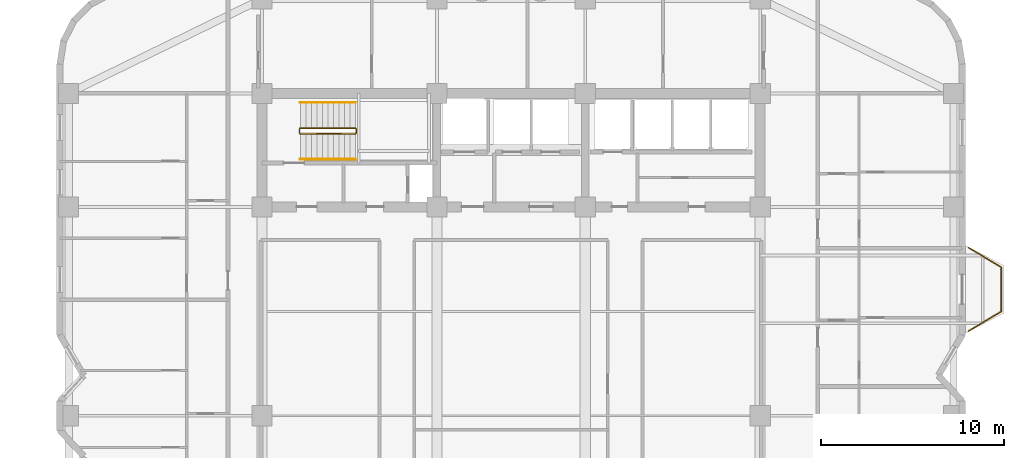
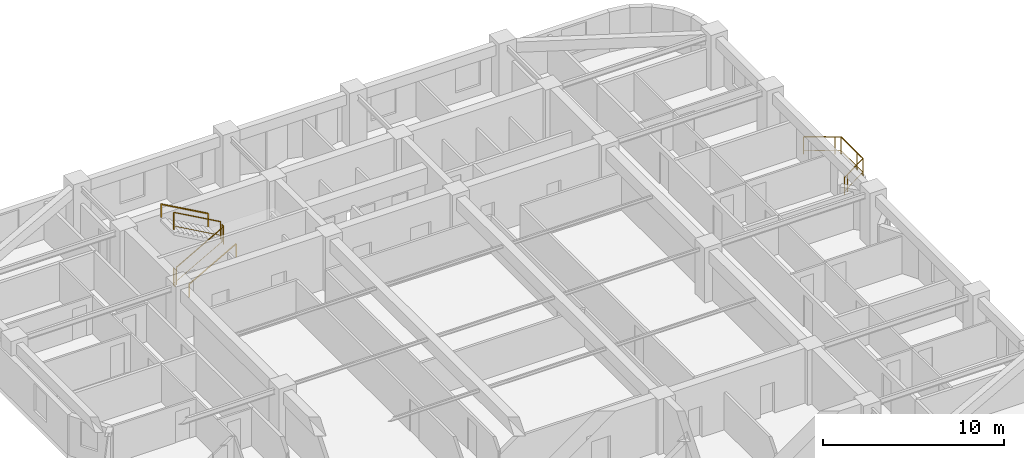
# One storey, part 10 of 10: 7 railings.
"""IFC4 building model written with IfcOpenShell, lengths in metres."""

from ifc_helpers import new_model, si_unit, direction, frame, origin, origin_2d, place, context, subcontext, project, spatial, rectangle, extrude, material, type_object, element, save


model = new_model("IFC4")

# Units and contexts
model_context = context("Model", 3, precision=1e-05, world=origin(), true_north=direction((0.0, 1.0)))
body_context = subcontext(model_context, "Body", "Model", "MODEL_VIEW")
ifc_project = project(units=[si_unit("LENGTHUNIT", "METRE"), si_unit("AREAUNIT", "SQUARE_METRE"), si_unit("VOLUMEUNIT", "CUBIC_METRE"), si_unit("PLANEANGLEUNIT", "RADIAN"), si_unit("MASSUNIT", "GRAM", prefix="KILO")], contexts=[model_context])

# Site, building, storey
site_placement = place(None, origin())
site = spatial("IfcSite", under=ifc_project, at=site_placement, CompositionType="ELEMENT")
building_placement = place(site_placement, origin())
building = spatial("IfcBuilding", under=site, at=building_placement, Name="Svetorya Sky Lyceum", CompositionType="ELEMENT")
storey_placement = place(building_placement, frame((0.0, 0.0, 114.199951171875)))
storey = spatial("IfcBuildingStorey", under=building, at=storey_placement, Name="L28", CompositionType="ELEMENT", Elevation=114.199951171875)

# Railings
ifc_material_1 = material(Name="Laminated safety glass and stainless AISI 316", Category="glass")
railing_type_1 = type_object("IfcRailingType", Name="RL-BAL-1200", PredefinedType="BALUSTRADE", material=ifc_material_1)
railing_1_placement = place(storey_placement, frame((64.169921875, 37.3798828125, 0.0)))
element("IfcRailing", 1, at=railing_1_placement, inside=storey, type_object=railing_type_1, Name="L28 Balcony Balustrade BAL-E1", PredefinedType="BALUSTRADE", context=body_context, shape_type="SweptSolid", body=[
    extrude(rectangle(XDim=0.048095703125, YDim=0.048095703125, at=origin_2d()), frame((0.0, 0.0, 1.17578125), z_axis=(0.85753397263, -0.514427337711, 0.0), x_axis=(0.514427337711, 0.85753397263, 0.0)), (0.0, 0.0, 1.0), 2.09912109375),
    extrude(rectangle(XDim=0.02392578125, YDim=0.02392578125, at=origin_2d()), frame((0.0, 0.0, 0.25), z_axis=(0.85753397263, -0.514427337711, 0.0), x_axis=(0.514427337711, 0.85753397263, 0.0)), (0.0, 0.0, 1.0), 2.09912109375),
    extrude(rectangle(XDim=0.048095703125, YDim=0.048095703125, at=origin_2d()), frame((1.800048828125, -1.079833984375, 1.17578125), z_axis=(0.0, -1.0, 0.0), x_axis=(1.0, 0.0, 0.0)), (0.0, 0.0, 1.0), 2.400146484375),
    extrude(rectangle(XDim=0.02392578125, YDim=0.02392578125, at=origin_2d()), frame((1.800048828125, -1.079833984375, 0.25), z_axis=(0.0, -1.0, 0.0), x_axis=(1.0, 0.0, 0.0)), (0.0, 0.0, 1.0), 2.400146484375),
    extrude(rectangle(XDim=0.048095703125, YDim=0.048095703125, at=origin_2d()), frame((1.800048828125, -3.47998046875, 1.17578125), z_axis=(-0.85753397263, -0.514427337711, 0.0), x_axis=(0.514427337711, -0.85753397263, 0.0)), (0.0, 0.0, 1.0), 2.09912109375),
    extrude(rectangle(XDim=0.02392578125, YDim=0.02392578125, at=origin_2d()), frame((1.800048828125, -3.47998046875, 0.25), z_axis=(-0.85753397263, -0.514427337711, 0.0), x_axis=(0.514427337711, -0.85753397263, 0.0)), (0.0, 0.0, 1.0), 2.09912109375),
    extrude(rectangle(XDim=0.0419921875, YDim=0.0419921875, at=origin_2d()), origin(), (0.0, 0.0, 1.0), 1.15185546875),
    extrude(rectangle(XDim=0.0419921875, YDim=0.0419921875, at=origin_2d()), frame((1.500732421875, -0.900146484375, 0.0)), (0.0, 0.0, 1.0), 1.15185546875),
    extrude(rectangle(XDim=0.0419921875, YDim=0.0419921875, at=origin_2d()), frame((1.800048828125, -1.079833984375, 0.0)), (0.0, 0.0, 1.0), 1.15185546875),
    extrude(rectangle(XDim=0.0419921875, YDim=0.0419921875, at=origin_2d()), frame((1.800048828125, -2.829833984375, 0.0)), (0.0, 0.0, 1.0), 1.15185546875),
    extrude(rectangle(XDim=0.0419921875, YDim=0.0419921875, at=origin_2d()), frame((1.800048828125, -3.47998046875, 0.0)), (0.0, 0.0, 1.0), 1.15185546875),
    extrude(rectangle(XDim=0.0419921875, YDim=0.0419921875, at=origin_2d()), frame((0.29931640625, -4.380126953125, 0.0)), (0.0, 0.0, 1.0), 1.15185546875),
    extrude(rectangle(XDim=0.0419921875, YDim=0.0419921875, at=origin_2d()), frame((0.0, -4.559814453125, 0.0)), (0.0, 0.0, 1.0), 1.15185546875),
])
ifc_material_2 = material(Name="Painted galvanized stair well guard")
railing_type_2 = type_object("IfcRailingType", Name="RL-STR-GUARD-1200", PredefinedType="GUARDRAIL", material=ifc_material_2)
railing_2_placement = place(storey_placement, frame((27.699951171875, 43.60009765625, 0.168212890625)))
element("IfcRailing", 2, at=railing_2_placement, inside=storey, type_object=railing_type_2, Name="L28 ST-N stair guard 1", PredefinedType="GUARDRAIL", context=body_context, shape_type="SweptSolid", body=[
    extrude(rectangle(XDim=0.048095703125, YDim=0.048095703125, at=origin_2d()), frame((0.0, 0.0, 1.17578125), z_axis=(0.872272294576, 0.0, 0.489020494575), x_axis=(0.0, 1.0, 0.0)), (0.0, 0.0, 1.0), 3.439208984375),
    extrude(rectangle(XDim=0.02392578125, YDim=0.02392578125, at=origin_2d()), frame((0.0, 0.0, 0.25), z_axis=(0.872272294576, 0.0, 0.489020494575), x_axis=(0.0, 1.0, 0.0)), (0.0, 0.0, 1.0), 3.439208984375),
    extrude(rectangle(XDim=0.0419921875, YDim=0.0419921875, at=origin_2d()), origin(), (0.0, 0.0, 1.0), 1.15185546875),
    extrude(rectangle(XDim=0.0419921875, YDim=0.0419921875, at=origin_2d()), frame((3.0, 0.0, 1.681884765625)), (0.0, 0.0, 1.0), 1.15185546875),
])
railing_3_placement = place(storey_placement, frame((30.75, 43.64990234375, 1.85009765625)))
element("IfcRailing", 3, at=railing_3_placement, inside=storey, type_object=railing_type_2, Name="L28 ST-N stair guard 2", PredefinedType="GUARDRAIL", context=body_context, shape_type="SweptSolid", body=[
    extrude(rectangle(XDim=0.048095703125, YDim=0.048095703125, at=origin_2d()), frame((0.0, 0.0, 1.17578125), z_axis=(0.0, 1.0, 0.0), x_axis=(-1.0, 0.0, 0.0)), (0.0, 0.0, 1.0), 0.2001953125),
    extrude(rectangle(XDim=0.02392578125, YDim=0.02392578125, at=origin_2d()), frame((0.0, 0.0, 0.25), z_axis=(0.0, 1.0, 0.0), x_axis=(-1.0, 0.0, 0.0)), (0.0, 0.0, 1.0), 0.2001953125),
    extrude(rectangle(XDim=0.0419921875, YDim=0.0419921875, at=origin_2d()), origin(), (0.0, 0.0, 1.0), 1.15185546875),
    extrude(rectangle(XDim=0.0419921875, YDim=0.0419921875, at=origin_2d()), frame((0.0, 0.2001953125, 0.0)), (0.0, 0.0, 1.0), 1.15185546875),
])
railing_4_placement = place(storey_placement, frame((30.699951171875, 43.89990234375, 2.018310546875)))
element("IfcRailing", 4, at=railing_4_placement, inside=storey, type_object=railing_type_2, Name="L28 ST-N stair guard 3", PredefinedType="GUARDRAIL", context=body_context, shape_type="SweptSolid", body=[
    extrude(rectangle(XDim=0.048095703125, YDim=0.048095703125, at=origin_2d()), frame((0.0, 0.0, 1.17578125), z_axis=(-0.872302573547, 0.0, 0.488966481656), x_axis=(0.0, -1.0, 0.0)), (0.0, 0.0, 1.0), 3.439208984375),
    extrude(rectangle(XDim=0.02392578125, YDim=0.02392578125, at=origin_2d()), frame((0.0, 0.0, 0.25), z_axis=(-0.872302573547, 0.0, 0.488966481656), x_axis=(0.0, -1.0, 0.0)), (0.0, 0.0, 1.0), 3.439208984375),
    extrude(rectangle(XDim=0.0419921875, YDim=0.0419921875, at=origin_2d()), origin(), (0.0, 0.0, 1.0), 1.15185546875),
    extrude(rectangle(XDim=0.0419921875, YDim=0.0419921875, at=origin_2d()), frame((-3.0, 0.0, 1.681640625)), (0.0, 0.0, 1.0), 1.15185546875),
])
railing_5_placement = place(storey_placement, frame((27.64990234375, 43.64990234375, 0.0)))
element("IfcRailing", 5, at=railing_5_placement, inside=storey, type_object=railing_type_2, Name="L28 ST-N stair guard 4", PredefinedType="GUARDRAIL", context=body_context, shape_type="SweptSolid", body=[
    extrude(rectangle(XDim=0.048095703125, YDim=0.048095703125, at=origin_2d()), frame((0.0, 0.0, 1.17578125), z_axis=(0.0, 1.0, 0.0), x_axis=(-1.0, 0.0, 0.0)), (0.0, 0.0, 1.0), 0.2001953125),
    extrude(rectangle(XDim=0.02392578125, YDim=0.02392578125, at=origin_2d()), frame((0.0, 0.0, 0.25), z_axis=(0.0, 1.0, 0.0), x_axis=(-1.0, 0.0, 0.0)), (0.0, 0.0, 1.0), 0.2001953125),
    extrude(rectangle(XDim=0.0419921875, YDim=0.0419921875, at=origin_2d()), origin(), (0.0, 0.0, 1.0), 1.15185546875),
    extrude(rectangle(XDim=0.0419921875, YDim=0.0419921875, at=origin_2d()), frame((0.0, 0.2001953125, 0.0)), (0.0, 0.0, 1.0), 1.15185546875),
])
ifc_material_3 = material(Name="Brushed stainless AISI 304 stair handrail")
railing_type_3 = type_object("IfcRailingType", Name="RL-STR-HAND-920", PredefinedType="HANDRAIL", material=ifc_material_3)
railing_6_placement = place(storey_placement, frame((27.699951171875, 42.199951171875, 0.168212890625)))
element("IfcRailing", 6, at=railing_6_placement, inside=storey, type_object=railing_type_3, Name="L28 ST-N stair handrail 1", PredefinedType="HANDRAIL", context=body_context, shape_type="SweptSolid", body=[
    extrude(rectangle(XDim=0.048095703125, YDim=0.048095703125, at=origin_2d()), frame((0.0, 0.0, 0.8759765625), z_axis=(0.872272294576, 0.0, 0.489020494575), x_axis=(0.0, 1.0, 0.0)), (0.0, 0.0, 1.0), 3.439208984375),
    extrude(rectangle(XDim=0.0419921875, YDim=0.0419921875, at=origin_2d()), origin(), (0.0, 0.0, 1.0), 0.851806640625),
    extrude(rectangle(XDim=0.0419921875, YDim=0.0419921875, at=origin_2d()), frame((3.0, 0.0, 1.681884765625)), (0.0, 0.0, 1.0), 0.851806640625),
])
railing_7_placement = place(storey_placement, frame((30.699951171875, 45.300048828125, 2.018310546875)))
element("IfcRailing", 7, at=railing_7_placement, inside=storey, type_object=railing_type_3, Name="L28 ST-N stair handrail 2", PredefinedType="HANDRAIL", context=body_context, shape_type="SweptSolid", body=[
    extrude(rectangle(XDim=0.048095703125, YDim=0.048095703125, at=origin_2d()), frame((0.0, 0.0, 0.8759765625), z_axis=(-0.872302573547, 0.0, 0.488966481656), x_axis=(0.0, -1.0, 0.0)), (0.0, 0.0, 1.0), 3.439208984375),
    extrude(rectangle(XDim=0.0419921875, YDim=0.0419921875, at=origin_2d()), origin(), (0.0, 0.0, 1.0), 0.851806640625),
    extrude(rectangle(XDim=0.0419921875, YDim=0.0419921875, at=origin_2d()), frame((-3.0, 0.0, 1.681640625)), (0.0, 0.0, 1.0), 0.851806640625),
])

save(model, "model.ifc")
